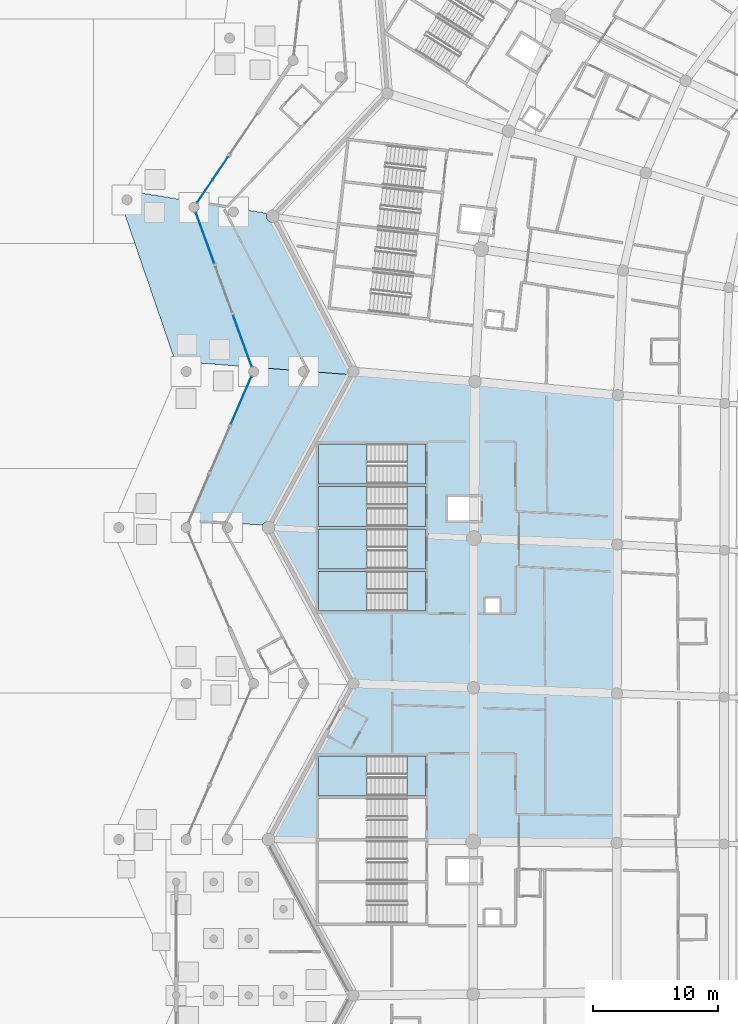
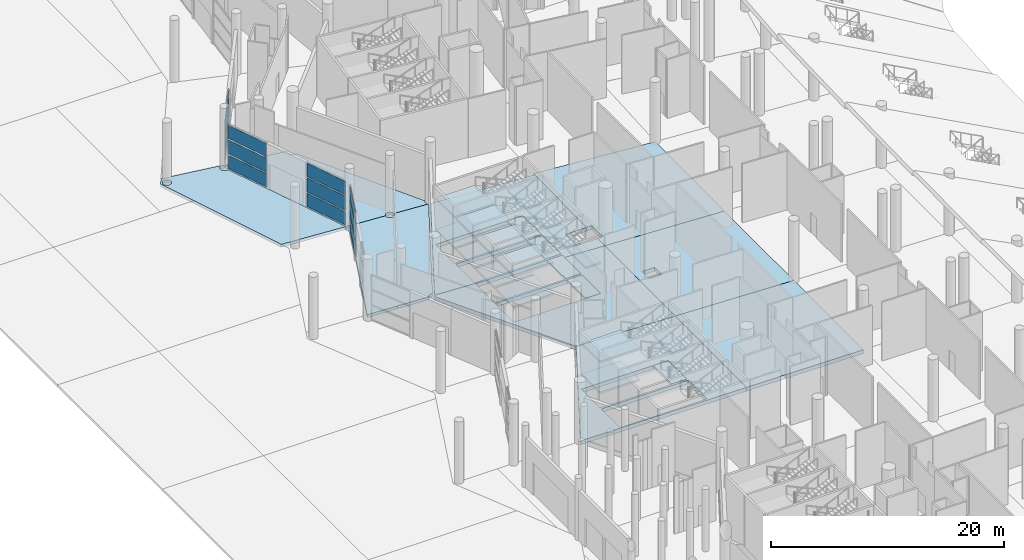
# One storey, part 86 of 255: 29 slabs, 15 plates, 9 elements without a shape of their own.
"""IFC4 building model written with IfcOpenShell, lengths in metres."""

from ifc_helpers import new_model, si_unit, direction, frame, origin, origin_2d, place, context, subcontext, project, spatial, polyline, rectangle, outline, extrude, material, layer, layer_set, type_object, element, aggregate, save


model = new_model("IFC4")

# Units and contexts
model_context = context("Model", 3, precision=1e-05, world=origin(), true_north=direction((0.0, 1.0)))
body_context = subcontext(model_context, "Body", "Model", "MODEL_VIEW")
ifc_project = project(units=[si_unit("LENGTHUNIT", "METRE"), si_unit("AREAUNIT", "SQUARE_METRE"), si_unit("VOLUMEUNIT", "CUBIC_METRE"), si_unit("PLANEANGLEUNIT", "RADIAN"), si_unit("MASSUNIT", "GRAM", prefix="KILO")], contexts=[model_context])

# Site, building, storey
site_placement = place(None, origin())
site = spatial("IfcSite", under=ifc_project, at=site_placement, CompositionType="ELEMENT")
building_placement = place(site_placement, origin())
building = spatial("IfcBuilding", under=site, at=building_placement, Name="Meseta Stadium", CompositionType="ELEMENT")
storey_placement = place(building_placement, origin())
storey = spatial("IfcBuildingStorey", under=building, at=storey_placement, Name="L00", CompositionType="ELEMENT", Elevation=0.0)

# Slabs
ifc_material_1 = material(Name="Concrete C40/50", Category="concrete")
ifc_layer_1 = layer(ifc_material_1, 0.39990234375)
ifc_layer_set_1 = layer_set([ifc_layer_1], Name="Floor slab 400")
slab_type_1 = type_object("IfcSlabType", Name="Floor slab 400", PredefinedType="FLOOR", material=ifc_layer_set_1)
slab_1_placement = place(storey_placement, frame((0.0, 0.0, -0.39990234375)))
element("IfcSlab", 1, at=slab_1_placement, inside=storey, type_object=slab_type_1, Name="Floor slab L00 sector 28 panel 04", PredefinedType="FLOOR", context=body_context, shape_type="SweptSolid", body=[
    extrude(outline(polyline([(-84.85546875, 42.7412109375), (-94.736328125, 43.49951171875), (-101.301513671875, 31.430908203125), (-96.176025390625, 31.14990234375), (-88.800048828125, 31.14990234375), (-88.800048828125, 30.74560546875), (-84.939697265625, 30.533935546875), (-84.93115234375, 31.800048828125), (-87.0, 31.800048828125), (-87.0, 33.699951171875), (-84.91796875, 33.699951171875), (-84.85546875, 42.7412109375)]), holes=[polyline([(-88.800048828125, 34.550048828125), (-88.800048828125, 31.35009765625), (-97.39990234375, 31.35009765625), (-97.39990234375, 34.550048828125), (-88.800048828125, 34.550048828125)]), polyline([(-88.800048828125, 37.949951171875), (-88.800048828125, 34.75), (-97.39990234375, 34.75), (-97.39990234375, 37.949951171875), (-88.800048828125, 37.949951171875)])]), origin(), (0.0, 0.0, 1.0), 0.39990234375),
])
slab_2_placement = place(storey_placement, frame((0.0, 0.0, -0.39990234375)))
element("IfcSlab", 2, at=slab_2_placement, inside=storey, type_object=slab_type_1, Name="Floor slab L00 sector 28 panel 06", PredefinedType="FLOOR", context=body_context, shape_type="SweptSolid", body=[
    extrude(outline(polyline([(-96.176025390625, 31.14990234375), (-101.301513671875, 31.430908203125), (-101.39990234375, 31.25), (-94.60009765625, 18.75), (-84.97314453125, 18.41064453125), (-84.939697265625, 30.533935546875), (-88.800048828125, 30.74560546875), (-88.800048828125, 27.949951171875), (-97.39990234375, 27.949951171875), (-97.39990234375, 31.14990234375), (-96.176025390625, 31.14990234375)]), holes=[polyline([(-97.39990234375, 27.75), (-88.800048828125, 27.75), (-88.800048828125, 24.550048828125), (-97.39990234375, 24.550048828125), (-97.39990234375, 27.75)])]), origin(), (0.0, 0.0, 1.0), 0.39990234375),
])
slab_3_placement = place(storey_placement, frame((0.0, 0.0, -0.39990234375)))
element("IfcSlab", 3, at=slab_3_placement, inside=storey, type_object=slab_type_1, Name="Floor slab L00 sector 28 panel 07", PredefinedType="FLOOR", context=body_context, shape_type="SweptSolid", body=[
    extrude(outline(polyline([(-88.800048828125, 6.14990234375), (-88.800048828125, 6.149169921875), (-84.99755859375, 6.107421875), (-84.97314453125, 18.41064453125), (-94.60009765625, 18.75), (-101.3798828125, 6.287109375), (-88.8798828125, 6.14990234375), (-88.800048828125, 6.14990234375)]), holes=[polyline([(-88.800048828125, 6.35009765625), (-97.39990234375, 6.35009765625), (-97.39990234375, 9.550048828125), (-88.800048828125, 9.550048828125), (-88.800048828125, 6.35009765625)]), polyline([(-88.800048828125, 9.75), (-97.39990234375, 9.75), (-97.39990234375, 12.949951171875), (-88.800048828125, 12.949951171875), (-88.800048828125, 9.75)])]), origin(), (0.0, 0.0, 1.0), 0.39990234375),
])
slab_4_placement = place(storey_placement, frame((0.0, 0.0, -0.39990234375)))
element("IfcSlab", 4, at=slab_4_placement, inside=storey, type_object=slab_type_1, Name="Floor slab L00 sector 28 panel 08", PredefinedType="FLOOR", context=body_context, shape_type="SweptSolid", body=[
    extrude(outline(polyline([(-73.482421875, 17.943603515625), (-84.97314453125, 18.41064453125), (-84.99755859375, 6.107421875), (-73.498046875, 5.981201171875), (-73.482421875, 17.943603515625)])), origin(), (0.0, 0.0, 1.0), 0.39990234375),
])
slab_5_placement = place(storey_placement, frame((0.0, 0.0, -0.39990234375)))
element("IfcSlab", 5, at=slab_5_placement, inside=storey, type_object=slab_type_1, Name="Floor slab L00 sector 28 panel 10", PredefinedType="FLOOR", context=body_context, shape_type="SweptSolid", body=[
    extrude(outline(polyline([(-73.451416015625, 29.904052734375), (-84.939697265625, 30.533935546875), (-84.97314453125, 18.41064453125), (-73.482421875, 17.943603515625), (-73.451416015625, 29.904052734375)]), holes=[polyline([(-82.85009765625, 25.60009765625), (-82.85009765625, 24.39990234375), (-84.050048828125, 24.39990234375), (-84.050048828125, 25.60009765625), (-82.85009765625, 25.60009765625)])]), origin(), (0.0, 0.0, 1.0), 0.39990234375),
])
slab_6_placement = place(storey_placement, frame((0.0, 0.0, -0.39990234375)))
element("IfcSlab", 6, at=slab_6_placement, inside=storey, type_object=slab_type_1, Name="Floor slab L00 sector 28 panel 12", PredefinedType="FLOOR", context=body_context, shape_type="SweptSolid", body=[
    extrude(outline(polyline([(-73.40478515625, 41.8623046875), (-84.85400390625, 42.948486328125), (-84.91796875, 33.699951171875), (-84.39990234375, 33.699951171875), (-84.39990234375, 31.800048828125), (-84.93115234375, 31.800048828125), (-84.939697265625, 30.533935546875), (-73.451416015625, 29.904052734375), (-73.40478515625, 41.8623046875)])), origin(), (0.0, 0.0, 1.0), 0.39990234375),
])
ifc_material_2 = material(Name="Concrete C40/50", Category="concrete")
ifc_layer_2 = layer(ifc_material_2, 0.300048828125)
ifc_layer_set_2 = layer_set([ifc_layer_2], Name="Passage paving slab 300")
slab_type_2 = type_object("IfcSlabType", Name="Passage paving slab 300", PredefinedType="FLOOR", material=ifc_layer_set_2)
slab_7_placement = place(storey_placement, frame((0.0, 0.0, -0.300048828125)))
element("IfcSlab", 7, at=slab_7_placement, inside=storey, type_object=slab_type_2, Name="Covered passage paving 4 part 1 panel 03", PredefinedType="FLOOR", context=body_context, shape_type="SweptSolid", body=[
    extrude(outline(polyline([(-107.093017578125, 57.3291015625), (-112.906982421875, 58.265380859375), (-113.334716796875, 57.5869140625), (-108.885986328125, 44.58544921875), (-102.7626953125, 44.115478515625), (-102.736572265625, 44.12646484375), (-107.23583984375, 56.53857421875), (-107.267822265625, 56.525390625), (-107.372314453125, 56.51171875), (-107.476806640625, 56.525390625), (-107.57421875, 56.565673828125), (-107.65771484375, 56.629638671875), (-107.7216796875, 56.71337890625), (-107.76220703125, 56.810546875), (-107.77587890625, 56.9150390625), (-107.76220703125, 57.019287109375), (-107.7216796875, 57.11669921875), (-107.65771484375, 57.2001953125), (-107.57421875, 57.264404296875), (-107.476806640625, 57.3046875), (-107.372314453125, 57.318603515625), (-107.267822265625, 57.3046875), (-107.170654296875, 57.264404296875), (-107.148193359375, 57.247314453125), (-107.093017578125, 57.3291015625)]), holes=[polyline([(-112.73828125, 57.1162109375), (-112.8427734375, 57.1298828125), (-112.940185546875, 57.170166015625), (-113.023681640625, 57.234375), (-113.087890625, 57.31787109375), (-113.128173828125, 57.415283203125), (-113.141845703125, 57.51953125), (-113.128173828125, 57.6240234375), (-113.087890625, 57.72119140625), (-113.023681640625, 57.804931640625), (-112.940185546875, 57.868896484375), (-112.8427734375, 57.9091796875), (-112.73828125, 57.923095703125), (-112.634033203125, 57.9091796875), (-112.53662109375, 57.868896484375), (-112.453125, 57.804931640625), (-112.388916015625, 57.72119140625), (-112.3486328125, 57.6240234375), (-112.3349609375, 57.51953125), (-112.3486328125, 57.415283203125), (-112.388916015625, 57.31787109375), (-112.453125, 57.234375), (-112.53662109375, 57.170166015625), (-112.634033203125, 57.1298828125), (-112.73828125, 57.1162109375)])]), origin(), (0.0, 0.0, 1.0), 0.300048828125),
])

# Curtain wall, plates
ifc_material_3 = material(Name="Aluminium", Category="aluminium")
ifc_layer_3 = layer(ifc_material_3, 0.199951171875)
ifc_layer_set_3 = layer_set([ifc_layer_3], Name="Ring shopfront curtain wall")
curtain_wall_type = type_object("IfcCurtainWallType", Name="Ring shopfront curtain wall", PredefinedType="NOTDEFINED", material=ifc_layer_set_3)
curtain_wall_1_placement = place(storey_placement, origin())
curtain_wall_1 = element("IfcCurtainWall", 8, at=curtain_wall_1_placement, inside=storey, type_object=curtain_wall_type, Name="Shopfront glazing F27b", PredefinedType="NOTDEFINED")
ifc_material_4 = material(Name="Glass", Category="glass")
ifc_layer_4 = layer(ifc_material_4, 0.035888671875)
ifc_layer_set_4 = layer_set([ifc_layer_4], Name="Ring CW glass panel 36")
plate_type = type_object("IfcPlateType", Name="Ring CW glass panel 36", PredefinedType="CURTAIN_PANEL", material=ifc_layer_set_4)
plate_1_placement = place(storey_placement, frame((-105.26708984375, 60.034912109375, 0.150146484375), z_axis=(0.0, 0.0, 1.0), x_axis=(-0.559368389201, -0.828919178909, 0.0)))
plate_1 = element("IfcPlate", 9, at=plate_1_placement, type_object=plate_type, Name="CWR1 panel 1.1", PredefinedType="CURTAIN_PANEL", context=body_context, shape_type="SweptSolid", body=[
    extrude(rectangle(XDim=2.162353515625, YDim=0.035888671875, at=origin_2d()), origin(), (0.0, 0.0, 1.0), 1.3916015625),
])
plate_2_placement = place(storey_placement, frame((-105.26708984375, 60.034912109375, 1.69189453125), z_axis=(0.0, 0.0, 1.0), x_axis=(-0.559368389201, -0.828919178909, 0.0)))
plate_2 = element("IfcPlate", 10, at=plate_2_placement, type_object=plate_type, Name="CWR1 panel 1.2", PredefinedType="CURTAIN_PANEL", context=body_context, shape_type="SweptSolid", body=[
    extrude(rectangle(XDim=2.162353515625, YDim=0.035888671875, at=origin_2d()), origin(), (0.0, 0.0, 1.0), 1.466552734375),
])
plate_3_placement = place(storey_placement, frame((-105.26708984375, 60.034912109375, 3.308349609375), z_axis=(0.0, 0.0, 1.0), x_axis=(-0.559368389201, -0.828919178909, 0.0)))
plate_3 = element("IfcPlate", 11, at=plate_3_placement, type_object=plate_type, Name="CWR1 panel 1.3", PredefinedType="CURTAIN_PANEL", context=body_context, shape_type="SweptSolid", body=[
    extrude(rectangle(XDim=2.162353515625, YDim=0.035888671875, at=origin_2d()), origin(), (0.0, 0.0, 1.0), 1.3916015625),
])
plate_4_placement = place(storey_placement, frame((-106.51025390625, 58.192626953125, 0.150146484375), z_axis=(0.0, 0.0, 1.0), x_axis=(-0.559368389201, -0.828919178909, 0.0)))
plate_4 = element("IfcPlate", 12, at=plate_4_placement, type_object=plate_type, Name="CWR1 panel 2.1", PredefinedType="CURTAIN_PANEL", context=body_context, shape_type="SweptSolid", body=[
    extrude(rectangle(XDim=2.162353515625, YDim=0.035888671875, at=origin_2d()), origin(), (0.0, 0.0, 1.0), 1.3916015625),
])
plate_5_placement = place(storey_placement, frame((-106.51025390625, 58.192626953125, 1.69189453125), z_axis=(0.0, 0.0, 1.0), x_axis=(-0.559368389201, -0.828919178909, 0.0)))
plate_5 = element("IfcPlate", 13, at=plate_5_placement, type_object=plate_type, Name="CWR1 panel 2.2", PredefinedType="CURTAIN_PANEL", context=body_context, shape_type="SweptSolid", body=[
    extrude(rectangle(XDim=2.162353515625, YDim=0.035888671875, at=origin_2d()), origin(), (0.0, 0.0, 1.0), 1.466552734375),
])
plate_6_placement = place(storey_placement, frame((-106.51025390625, 58.192626953125, 3.308349609375), z_axis=(0.0, 0.0, 1.0), x_axis=(-0.559368389201, -0.828919178909, 0.0)))
plate_6 = element("IfcPlate", 14, at=plate_6_placement, type_object=plate_type, Name="CWR1 panel 2.3", PredefinedType="CURTAIN_PANEL", context=body_context, shape_type="SweptSolid", body=[
    extrude(rectangle(XDim=2.162353515625, YDim=0.035888671875, at=origin_2d()), origin(), (0.0, 0.0, 1.0), 1.3916015625),
])
aggregate(curtain_wall_1, [plate_1, plate_2, plate_3, plate_4, plate_5, plate_6])

curtain_wall_2_placement = place(storey_placement, origin())
curtain_wall_2 = element("IfcCurtainWall", 15, at=curtain_wall_2_placement, inside=storey, type_object=curtain_wall_type, Name="Shopfront glazing F28a", PredefinedType="NOTDEFINED")
plate_7_placement = place(storey_placement, frame((-106.48583984375, 54.469970703125, 0.150146484375), z_axis=(0.0, 0.0, 1.0), x_axis=(0.340799825619, -0.940135883188, 0.0)))
plate_7 = element("IfcPlate", 16, at=plate_7_placement, type_object=plate_type, Name="CWR1 panel 1.1", PredefinedType="CURTAIN_PANEL", context=body_context, shape_type="SweptSolid", body=[
    extrude(rectangle(XDim=4.28173828125, YDim=0.035888671875, at=origin_2d()), origin(), (0.0, 0.0, 1.0), 1.3916015625),
])
plate_8_placement = place(storey_placement, frame((-106.48583984375, 54.469970703125, 1.69189453125), z_axis=(0.0, 0.0, 1.0), x_axis=(0.340799825619, -0.940135883188, 0.0)))
plate_8 = element("IfcPlate", 17, at=plate_8_placement, type_object=plate_type, Name="CWR1 panel 1.2", PredefinedType="CURTAIN_PANEL", context=body_context, shape_type="SweptSolid", body=[
    extrude(rectangle(XDim=4.28173828125, YDim=0.035888671875, at=origin_2d()), origin(), (0.0, 0.0, 1.0), 1.466552734375),
])
plate_9_placement = place(storey_placement, frame((-106.48583984375, 54.469970703125, 3.308349609375), z_axis=(0.0, 0.0, 1.0), x_axis=(0.340799825619, -0.940135883188, 0.0)))
plate_9 = element("IfcPlate", 18, at=plate_9_placement, type_object=plate_type, Name="CWR1 panel 1.3", PredefinedType="CURTAIN_PANEL", context=body_context, shape_type="SweptSolid", body=[
    extrude(rectangle(XDim=4.28173828125, YDim=0.035888671875, at=origin_2d()), origin(), (0.0, 0.0, 1.0), 1.3916015625),
])
aggregate(curtain_wall_2, [plate_7, plate_8, plate_9])

curtain_wall_3_placement = place(storey_placement, origin())
curtain_wall_3 = element("IfcCurtainWall", 19, at=curtain_wall_3_placement, inside=storey, type_object=curtain_wall_type, Name="Shopfront glazing F28b", PredefinedType="NOTDEFINED")
plate_10_placement = place(storey_placement, frame((-103.486328125, 46.195068359375, 0.150146484375), z_axis=(0.0, 0.0, 1.0), x_axis=(0.340807104716, -0.940133244479, 0.0)))
plate_10 = element("IfcPlate", 20, at=plate_10_placement, type_object=plate_type, Name="CWR1 panel 1.1", PredefinedType="CURTAIN_PANEL", context=body_context, shape_type="SweptSolid", body=[
    extrude(rectangle(XDim=4.281494140625, YDim=0.035888671875, at=origin_2d()), origin(), (0.0, 0.0, 1.0), 1.3916015625),
])
plate_11_placement = place(storey_placement, frame((-103.486328125, 46.195068359375, 1.69189453125), z_axis=(0.0, 0.0, 1.0), x_axis=(0.340807104716, -0.940133244479, 0.0)))
plate_11 = element("IfcPlate", 21, at=plate_11_placement, type_object=plate_type, Name="CWR1 panel 1.2", PredefinedType="CURTAIN_PANEL", context=body_context, shape_type="SweptSolid", body=[
    extrude(rectangle(XDim=4.281494140625, YDim=0.035888671875, at=origin_2d()), origin(), (0.0, 0.0, 1.0), 1.466552734375),
])
plate_12_placement = place(storey_placement, frame((-103.486328125, 46.195068359375, 3.308349609375), z_axis=(0.0, 0.0, 1.0), x_axis=(0.340807104716, -0.940133244479, 0.0)))
plate_12 = element("IfcPlate", 22, at=plate_12_placement, type_object=plate_type, Name="CWR1 panel 1.3", PredefinedType="CURTAIN_PANEL", context=body_context, shape_type="SweptSolid", body=[
    extrude(rectangle(XDim=4.281494140625, YDim=0.035888671875, at=origin_2d()), origin(), (0.0, 0.0, 1.0), 1.3916015625),
])
aggregate(curtain_wall_3, [plate_10, plate_11, plate_12])

curtain_wall_4_placement = place(storey_placement, origin())
curtain_wall_4 = element("IfcCurtainWall", 23, at=curtain_wall_4_placement, inside=storey, type_object=curtain_wall_type, Name="Shopfront glazing F29a", PredefinedType="NOTDEFINED")
plate_13_placement = place(storey_placement, frame((-103.593017578125, 41.451171875, 0.150146484375), z_axis=(0.0, 0.0, 1.0), x_axis=(-0.396576208678, -0.918001803218, 0.0)))
plate_13 = element("IfcPlate", 24, at=plate_13_placement, type_object=plate_type, Name="CWR1 panel 1.1", PredefinedType="CURTAIN_PANEL", context=body_context, shape_type="SweptSolid", body=[
    extrude(rectangle(XDim=4.08837890625, YDim=0.035888671875, at=origin_2d()), origin(), (0.0, 0.0, 1.0), 1.3916015625),
])
plate_14_placement = place(storey_placement, frame((-103.593017578125, 41.451171875, 1.69189453125), z_axis=(0.0, 0.0, 1.0), x_axis=(-0.396576208678, -0.918001803218, 0.0)))
plate_14 = element("IfcPlate", 25, at=plate_14_placement, type_object=plate_type, Name="CWR1 panel 1.2", PredefinedType="CURTAIN_PANEL", context=body_context, shape_type="SweptSolid", body=[
    extrude(rectangle(XDim=4.08837890625, YDim=0.035888671875, at=origin_2d()), origin(), (0.0, 0.0, 1.0), 1.466552734375),
])
plate_15_placement = place(storey_placement, frame((-103.593017578125, 41.451171875, 3.308349609375), z_axis=(0.0, 0.0, 1.0), x_axis=(-0.396576208678, -0.918001803218, 0.0)))
plate_15 = element("IfcPlate", 26, at=plate_15_placement, type_object=plate_type, Name="CWR1 panel 1.3", PredefinedType="CURTAIN_PANEL", context=body_context, shape_type="SweptSolid", body=[
    extrude(rectangle(XDim=4.08837890625, YDim=0.035888671875, at=origin_2d()), origin(), (0.0, 0.0, 1.0), 1.3916015625),
])
aggregate(curtain_wall_4, [plate_13, plate_14, plate_15])

# Slabs
ifc_material_5 = material(Name="Concrete C30/37", Category="concrete")
ifc_layer_5 = layer(ifc_material_5, 0.300048828125)
ifc_layer_set_5 = layer_set([ifc_layer_5], Name="Ring grade slab 300")
slab_type_3 = type_object("IfcSlabType", Name="Ring grade slab 300", PredefinedType="BASESLAB", material=ifc_layer_set_5)
slab_8_placement = place(storey_placement, frame((0.0, 0.0, -0.300048828125)))
element("IfcSlab", 27, at=slab_8_placement, inside=storey, type_object=slab_type_3, Name="Ring ground floor slab 4 part 1 panel 03", PredefinedType="BASESLAB", context=body_context, shape_type="SweptSolid", body=[
    extrude(outline(polyline([(-102.704345703125, 43.3603515625), (-102.758544921875, 43.3828125), (-107.768798828125, 31.78564453125), (-104.83984375, 31.625), (-104.804443359375, 31.6396484375), (-104.699951171875, 31.653564453125), (-104.595703125, 31.6396484375), (-104.517333984375, 31.607421875), (-101.853515625, 31.461181640625), (-101.836669921875, 31.502197265625), (-101.756591796875, 31.606689453125), (-101.652099609375, 31.686767578125), (-101.530517578125, 31.737060546875), (-101.39990234375, 31.75439453125), (-101.30322265625, 31.74169921875), (-94.935302734375, 43.44775390625), (-94.989990234375, 43.51904296875), (-98.198486328125, 43.76513671875), (-98.196533203125, 43.75), (-98.210205078125, 43.6455078125), (-98.25048828125, 43.54833984375), (-98.314697265625, 43.464599609375), (-98.398193359375, 43.400634765625), (-98.49560546875, 43.3603515625), (-98.60009765625, 43.346435546875), (-98.704345703125, 43.3603515625), (-98.8017578125, 43.400634765625), (-98.88525390625, 43.464599609375), (-98.949462890625, 43.54833984375), (-98.98974609375, 43.6455078125), (-99.00341796875, 43.75), (-98.993408203125, 43.826171875), (-102.381103515625, 44.086181640625), (-102.314697265625, 44.035400390625), (-102.25048828125, 43.95166015625), (-102.210205078125, 43.8544921875), (-102.196533203125, 43.75), (-102.210205078125, 43.6455078125), (-102.25048828125, 43.54833984375), (-102.314697265625, 43.464599609375), (-102.398193359375, 43.400634765625), (-102.49560546875, 43.3603515625), (-102.60009765625, 43.346435546875), (-102.704345703125, 43.3603515625)])), origin(), (0.0, 0.0, 1.0), 0.300048828125),
])
slab_9_placement = place(storey_placement, frame((0.0, 0.0, -0.300048828125)))
element("IfcSlab", 28, at=slab_9_placement, inside=storey, type_object=slab_type_3, Name="Ring ground floor slab 4 part 1 panel 04", PredefinedType="BASESLAB", context=body_context, shape_type="SweptSolid", body=[
    extrude(outline(polyline([(-102.49560546875, 44.1396484375), (-102.398193359375, 44.099365234375), (-102.381103515625, 44.086181640625), (-98.993408203125, 43.826171875), (-98.98974609375, 43.8544921875), (-98.949462890625, 43.95166015625), (-98.88525390625, 44.035400390625), (-98.8017578125, 44.099365234375), (-98.704345703125, 44.1396484375), (-98.60009765625, 44.153564453125), (-98.49560546875, 44.1396484375), (-98.398193359375, 44.099365234375), (-98.314697265625, 44.035400390625), (-98.25048828125, 43.95166015625), (-98.210205078125, 43.8544921875), (-98.198486328125, 43.76513671875), (-94.989990234375, 43.51904296875), (-94.9931640625, 43.523193359375), (-95.038330078125, 43.632568359375), (-95.053955078125, 43.75), (-95.038330078125, 43.867431640625), (-94.9931640625, 43.976806640625), (-94.929443359375, 44.059814453125), (-100.965087890625, 55.7099609375), (-101.0517578125, 55.698486328125), (-101.18212890625, 55.7158203125), (-101.3037109375, 55.76611328125), (-101.408203125, 55.84619140625), (-101.48828125, 55.95068359375), (-101.538818359375, 56.072265625), (-101.555908203125, 56.202880859375), (-101.538818359375, 56.33349609375), (-101.49951171875, 56.42822265625), (-103.90478515625, 56.815673828125), (-103.862548828125, 56.760498046875), (-103.822265625, 56.663330078125), (-103.80859375, 56.558837890625), (-103.822265625, 56.45458984375), (-103.862548828125, 56.357177734375), (-103.9267578125, 56.273681640625), (-104.01025390625, 56.20947265625), (-104.107666015625, 56.169189453125), (-104.2119140625, 56.155517578125), (-104.31640625, 56.169189453125), (-104.413818359375, 56.20947265625), (-104.497314453125, 56.273681640625), (-104.561279296875, 56.357177734375), (-104.601806640625, 56.45458984375), (-104.615478515625, 56.558837890625), (-104.601806640625, 56.663330078125), (-104.561279296875, 56.760498046875), (-104.497314453125, 56.84423828125), (-104.42529296875, 56.8994140625), (-107.093017578125, 57.3291015625), (-107.148193359375, 57.247314453125), (-107.087158203125, 57.2001953125), (-107.02294921875, 57.11669921875), (-106.982666015625, 57.019287109375), (-106.968994140625, 56.9150390625), (-106.982666015625, 56.810546875), (-107.02294921875, 56.71337890625), (-107.087158203125, 56.629638671875), (-107.170654296875, 56.565673828125), (-107.23583984375, 56.53857421875), (-102.736572265625, 44.12646484375), (-102.704345703125, 44.1396484375), (-102.60009765625, 44.153564453125), (-102.49560546875, 44.1396484375)])), origin(), (0.0, 0.0, 1.0), 0.300048828125),
])

# Stair, slabs
ifc_material_6 = material(Name="Concrete C40/50", Category="concrete")
stair_type = type_object("IfcStairType", Name="Exit stair 4 flights 148 mm risers", PredefinedType="HALF_TURN_STAIR", material=ifc_material_6)
stair_1_placement = place(storey_placement, origin())
stair_1 = element("IfcStair", 29, at=stair_1_placement, inside=storey, type_object=stair_type, Name="ST61 L00", PredefinedType="HALF_TURN_STAIR")
ifc_material_7 = material(Name="Concrete C40/50", Category="concrete")
ifc_layer_6 = layer(ifc_material_7, 0.199951171875)
ifc_layer_set_6 = layer_set([ifc_layer_6], Name="Stair landing 200")
slab_type_4 = type_object("IfcSlabType", Name="Stair landing 200", PredefinedType="LANDING", material=ifc_layer_set_6)
slab_10_placement = place(storey_placement, frame((0.0, 0.0, 1.425048828125)))
slab_10 = element("IfcSlab", 30, at=slab_10_placement, type_object=slab_type_4, Name="ST61 L00 landing 1", PredefinedType="LANDING", context=body_context, shape_type="SweptSolid", body=[
    extrude(outline(polyline([(-93.489990234375, 37.949951171875), (-97.39990234375, 37.949951171875), (-97.39990234375, 34.75), (-93.489990234375, 34.75), (-93.489990234375, 37.949951171875)])), origin(), (0.0, 0.0, 1.0), 0.199951171875),
])
slab_11_placement = place(storey_placement, frame((0.0, 0.0, 3.050048828125)))
slab_11 = element("IfcSlab", 31, at=slab_11_placement, type_object=slab_type_4, Name="ST61 L00 landing 2", PredefinedType="LANDING", context=body_context, shape_type="SweptSolid", body=[
    extrude(outline(polyline([(-88.800048828125, 37.949951171875), (-90.31005859375, 37.949951171875), (-90.31005859375, 34.75), (-88.800048828125, 34.75), (-88.800048828125, 37.949951171875)])), origin(), (0.0, 0.0, 1.0), 0.199951171875),
])
slab_12_placement = place(storey_placement, frame((0.0, 0.0, 4.675048828125)))
slab_12 = element("IfcSlab", 32, at=slab_12_placement, type_object=slab_type_4, Name="ST61 L00 landing 3", PredefinedType="LANDING", context=body_context, shape_type="SweptSolid", body=[
    extrude(outline(polyline([(-93.489990234375, 37.949951171875), (-97.39990234375, 37.949951171875), (-97.39990234375, 34.75), (-93.489990234375, 34.75), (-93.489990234375, 37.949951171875)])), origin(), (0.0, 0.0, 1.0), 0.199951171875),
])
slab_13_placement = place(storey_placement, frame((0.0, 0.0, -0.199951171875)))
slab_13 = element("IfcSlab", 33, at=slab_13_placement, type_object=slab_type_4, Name="ST61 L00 landing 4", PredefinedType="LANDING", context=body_context, shape_type="SweptSolid", body=[
    extrude(outline(polyline([(-88.800048828125, 37.949951171875), (-90.31005859375, 37.949951171875), (-90.31005859375, 34.75), (-88.800048828125, 34.75), (-88.800048828125, 37.949951171875)])), origin(), (0.0, 0.0, 1.0), 0.199951171875),
])
aggregate(stair_1, [slab_10, slab_11, slab_12, slab_13])

stair_2_placement = place(storey_placement, origin())
stair_2 = element("IfcStair", 34, at=stair_2_placement, inside=storey, type_object=stair_type, Name="ST62 L00", PredefinedType="HALF_TURN_STAIR")
slab_14_placement = place(storey_placement, frame((0.0, 0.0, 1.425048828125)))
slab_14 = element("IfcSlab", 35, at=slab_14_placement, type_object=slab_type_4, Name="ST62 L00 landing 1", PredefinedType="LANDING", context=body_context, shape_type="SweptSolid", body=[
    extrude(outline(polyline([(-93.489990234375, 34.550048828125), (-97.39990234375, 34.550048828125), (-97.39990234375, 31.35009765625), (-93.489990234375, 31.35009765625), (-93.489990234375, 34.550048828125)])), origin(), (0.0, 0.0, 1.0), 0.199951171875),
])
slab_15_placement = place(storey_placement, frame((0.0, 0.0, 3.050048828125)))
slab_15 = element("IfcSlab", 36, at=slab_15_placement, type_object=slab_type_4, Name="ST62 L00 landing 2", PredefinedType="LANDING", context=body_context, shape_type="SweptSolid", body=[
    extrude(outline(polyline([(-88.800048828125, 34.550048828125), (-90.31005859375, 34.550048828125), (-90.31005859375, 31.35009765625), (-88.800048828125, 31.35009765625), (-88.800048828125, 34.550048828125)])), origin(), (0.0, 0.0, 1.0), 0.199951171875),
])
slab_16_placement = place(storey_placement, frame((0.0, 0.0, 4.675048828125)))
slab_16 = element("IfcSlab", 37, at=slab_16_placement, type_object=slab_type_4, Name="ST62 L00 landing 3", PredefinedType="LANDING", context=body_context, shape_type="SweptSolid", body=[
    extrude(outline(polyline([(-93.489990234375, 34.550048828125), (-97.39990234375, 34.550048828125), (-97.39990234375, 31.35009765625), (-93.489990234375, 31.35009765625), (-93.489990234375, 34.550048828125)])), origin(), (0.0, 0.0, 1.0), 0.199951171875),
])
slab_17_placement = place(storey_placement, frame((0.0, 0.0, -0.199951171875)))
slab_17 = element("IfcSlab", 38, at=slab_17_placement, type_object=slab_type_4, Name="ST62 L00 landing 4", PredefinedType="LANDING", context=body_context, shape_type="SweptSolid", body=[
    extrude(outline(polyline([(-88.800048828125, 34.550048828125), (-90.31005859375, 34.550048828125), (-90.31005859375, 31.35009765625), (-88.800048828125, 31.35009765625), (-88.800048828125, 34.550048828125)])), origin(), (0.0, 0.0, 1.0), 0.199951171875),
])
aggregate(stair_2, [slab_14, slab_15, slab_16, slab_17])

stair_3_placement = place(storey_placement, origin())
stair_3 = element("IfcStair", 39, at=stair_3_placement, inside=storey, type_object=stair_type, Name="ST63 L00", PredefinedType="HALF_TURN_STAIR")
slab_18_placement = place(storey_placement, frame((0.0, 0.0, 1.425048828125)))
slab_18 = element("IfcSlab", 40, at=slab_18_placement, type_object=slab_type_4, Name="ST63 L00 landing 1", PredefinedType="LANDING", context=body_context, shape_type="SweptSolid", body=[
    extrude(outline(polyline([(-93.489990234375, 31.14990234375), (-97.39990234375, 31.14990234375), (-97.39990234375, 27.949951171875), (-93.489990234375, 27.949951171875), (-93.489990234375, 31.14990234375)])), origin(), (0.0, 0.0, 1.0), 0.199951171875),
])
slab_19_placement = place(storey_placement, frame((0.0, 0.0, 3.050048828125)))
slab_19 = element("IfcSlab", 41, at=slab_19_placement, type_object=slab_type_4, Name="ST63 L00 landing 2", PredefinedType="LANDING", context=body_context, shape_type="SweptSolid", body=[
    extrude(outline(polyline([(-88.800048828125, 31.14990234375), (-90.31005859375, 31.14990234375), (-90.31005859375, 27.949951171875), (-88.800048828125, 27.949951171875), (-88.800048828125, 31.14990234375)])), origin(), (0.0, 0.0, 1.0), 0.199951171875),
])
slab_20_placement = place(storey_placement, frame((0.0, 0.0, 4.675048828125)))
slab_20 = element("IfcSlab", 42, at=slab_20_placement, type_object=slab_type_4, Name="ST63 L00 landing 3", PredefinedType="LANDING", context=body_context, shape_type="SweptSolid", body=[
    extrude(outline(polyline([(-93.489990234375, 31.14990234375), (-97.39990234375, 31.14990234375), (-97.39990234375, 27.949951171875), (-93.489990234375, 27.949951171875), (-93.489990234375, 31.14990234375)])), origin(), (0.0, 0.0, 1.0), 0.199951171875),
])
slab_21_placement = place(storey_placement, frame((0.0, 0.0, -0.199951171875)))
slab_21 = element("IfcSlab", 43, at=slab_21_placement, type_object=slab_type_4, Name="ST63 L00 landing 4", PredefinedType="LANDING", context=body_context, shape_type="SweptSolid", body=[
    extrude(outline(polyline([(-88.800048828125, 31.14990234375), (-90.31005859375, 31.14990234375), (-90.31005859375, 27.949951171875), (-88.800048828125, 27.949951171875), (-88.800048828125, 31.14990234375)])), origin(), (0.0, 0.0, 1.0), 0.199951171875),
])
aggregate(stair_3, [slab_18, slab_19, slab_20, slab_21])

stair_4_placement = place(storey_placement, origin())
stair_4 = element("IfcStair", 44, at=stair_4_placement, inside=storey, type_object=stair_type, Name="ST64 L00", PredefinedType="HALF_TURN_STAIR")
slab_22_placement = place(storey_placement, frame((0.0, 0.0, 1.425048828125)))
slab_22 = element("IfcSlab", 45, at=slab_22_placement, type_object=slab_type_4, Name="ST64 L00 landing 1", PredefinedType="LANDING", context=body_context, shape_type="SweptSolid", body=[
    extrude(outline(polyline([(-93.489990234375, 27.75), (-97.39990234375, 27.75), (-97.39990234375, 24.550048828125), (-93.489990234375, 24.550048828125), (-93.489990234375, 27.75)])), origin(), (0.0, 0.0, 1.0), 0.199951171875),
])
slab_23_placement = place(storey_placement, frame((0.0, 0.0, 3.050048828125)))
slab_23 = element("IfcSlab", 46, at=slab_23_placement, type_object=slab_type_4, Name="ST64 L00 landing 2", PredefinedType="LANDING", context=body_context, shape_type="SweptSolid", body=[
    extrude(outline(polyline([(-88.800048828125, 27.75), (-90.31005859375, 27.75), (-90.31005859375, 24.550048828125), (-88.800048828125, 24.550048828125), (-88.800048828125, 27.75)])), origin(), (0.0, 0.0, 1.0), 0.199951171875),
])
slab_24_placement = place(storey_placement, frame((0.0, 0.0, 4.675048828125)))
slab_24 = element("IfcSlab", 47, at=slab_24_placement, type_object=slab_type_4, Name="ST64 L00 landing 3", PredefinedType="LANDING", context=body_context, shape_type="SweptSolid", body=[
    extrude(outline(polyline([(-93.489990234375, 27.75), (-97.39990234375, 27.75), (-97.39990234375, 24.550048828125), (-93.489990234375, 24.550048828125), (-93.489990234375, 27.75)])), origin(), (0.0, 0.0, 1.0), 0.199951171875),
])
slab_25_placement = place(storey_placement, frame((0.0, 0.0, -0.199951171875)))
slab_25 = element("IfcSlab", 48, at=slab_25_placement, type_object=slab_type_4, Name="ST64 L00 landing 4", PredefinedType="LANDING", context=body_context, shape_type="SweptSolid", body=[
    extrude(outline(polyline([(-88.800048828125, 27.75), (-90.31005859375, 27.75), (-90.31005859375, 24.550048828125), (-88.800048828125, 24.550048828125), (-88.800048828125, 27.75)])), origin(), (0.0, 0.0, 1.0), 0.199951171875),
])
aggregate(stair_4, [slab_22, slab_23, slab_24, slab_25])

stair_5_placement = place(storey_placement, origin())
stair_5 = element("IfcStair", 49, at=stair_5_placement, inside=storey, type_object=stair_type, Name="ST65 L00", PredefinedType="HALF_TURN_STAIR")
slab_26_placement = place(storey_placement, frame((0.0, 0.0, 1.425048828125)))
slab_26 = element("IfcSlab", 50, at=slab_26_placement, type_object=slab_type_4, Name="ST65 L00 landing 1", PredefinedType="LANDING", context=body_context, shape_type="SweptSolid", body=[
    extrude(outline(polyline([(-93.489990234375, 12.949951171875), (-97.39990234375, 12.949951171875), (-97.39990234375, 9.75), (-93.489990234375, 9.75), (-93.489990234375, 12.949951171875)])), origin(), (0.0, 0.0, 1.0), 0.199951171875),
])
slab_27_placement = place(storey_placement, frame((0.0, 0.0, 3.050048828125)))
slab_27 = element("IfcSlab", 51, at=slab_27_placement, type_object=slab_type_4, Name="ST65 L00 landing 2", PredefinedType="LANDING", context=body_context, shape_type="SweptSolid", body=[
    extrude(outline(polyline([(-88.800048828125, 12.949951171875), (-90.31005859375, 12.949951171875), (-90.31005859375, 9.75), (-88.800048828125, 9.75), (-88.800048828125, 12.949951171875)])), origin(), (0.0, 0.0, 1.0), 0.199951171875),
])
slab_28_placement = place(storey_placement, frame((0.0, 0.0, 4.675048828125)))
slab_28 = element("IfcSlab", 52, at=slab_28_placement, type_object=slab_type_4, Name="ST65 L00 landing 3", PredefinedType="LANDING", context=body_context, shape_type="SweptSolid", body=[
    extrude(outline(polyline([(-93.489990234375, 12.949951171875), (-97.39990234375, 12.949951171875), (-97.39990234375, 9.75), (-93.489990234375, 9.75), (-93.489990234375, 12.949951171875)])), origin(), (0.0, 0.0, 1.0), 0.199951171875),
])
slab_29_placement = place(storey_placement, frame((0.0, 0.0, -0.199951171875)))
slab_29 = element("IfcSlab", 53, at=slab_29_placement, type_object=slab_type_4, Name="ST65 L00 landing 4", PredefinedType="LANDING", context=body_context, shape_type="SweptSolid", body=[
    extrude(outline(polyline([(-88.800048828125, 12.949951171875), (-90.31005859375, 12.949951171875), (-90.31005859375, 9.75), (-88.800048828125, 9.75), (-88.800048828125, 12.949951171875)])), origin(), (0.0, 0.0, 1.0), 0.199951171875),
])
aggregate(stair_5, [slab_26, slab_27, slab_28, slab_29])

save(model, "model.ifc")
